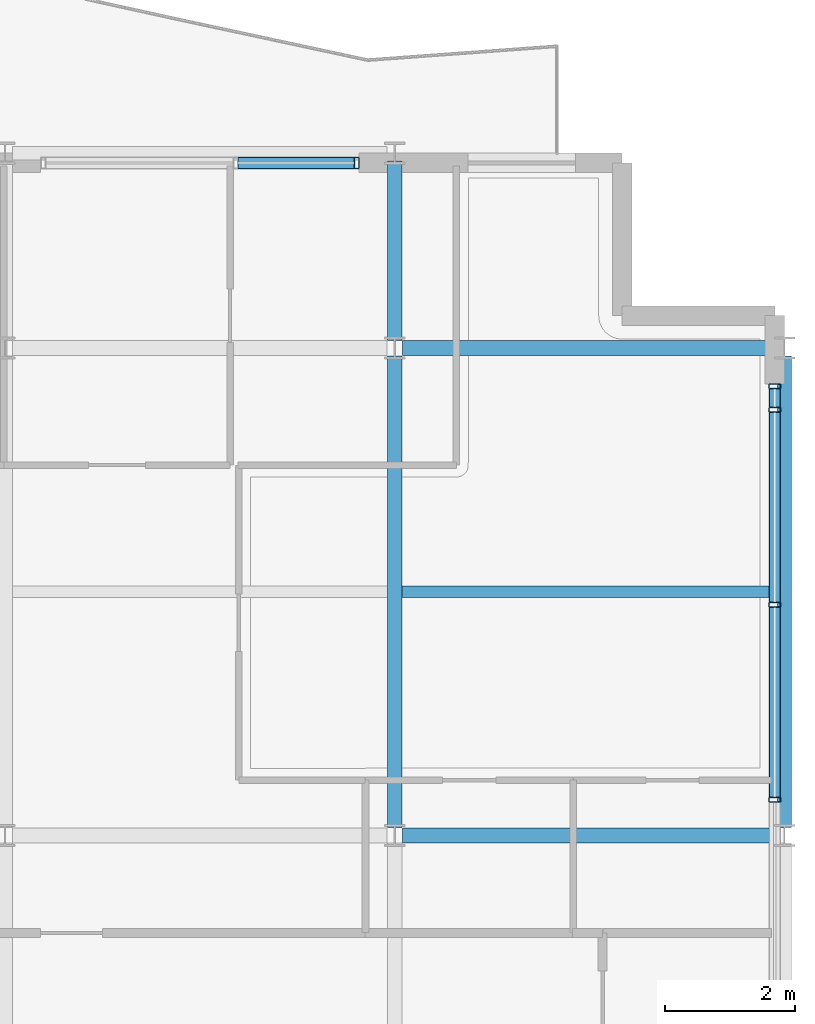
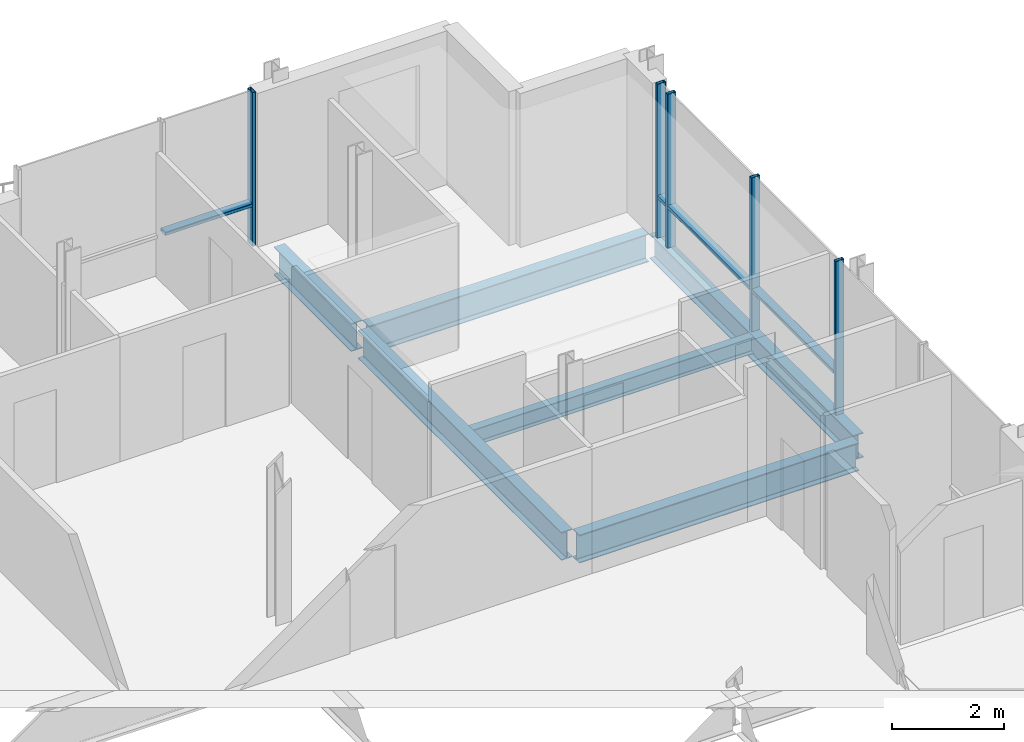
# One storey, part 9 of 18: 9 members, 6 beams, 2 elements without a shape of their own.
"""IFC4 building model written with IfcOpenShell, lengths in metres."""

from ifc_helpers import new_model, si_unit, direction, frame, origin, origin_2d, place, context, subcontext, project, spatial, hollow_rectangle, i_section, extrude, material, layer, layer_set, material_profile, profile_set, type_object, element, aggregate, save


model = new_model("IFC4")

# Units and contexts
model_context = context("Model", 3, precision=1e-05, world=origin(), true_north=direction((0.0, 1.0)))
body_context = subcontext(model_context, "Body", "Model", "MODEL_VIEW")
ifc_project = project(units=[si_unit("LENGTHUNIT", "METRE"), si_unit("AREAUNIT", "SQUARE_METRE"), si_unit("VOLUMEUNIT", "CUBIC_METRE"), si_unit("PLANEANGLEUNIT", "RADIAN"), si_unit("MASSUNIT", "GRAM", prefix="KILO")], contexts=[model_context])

# Site, building, storey
site_placement = place(None, origin())
site = spatial("IfcSite", under=ifc_project, at=site_placement, CompositionType="ELEMENT")
building_placement = place(site_placement, origin())
building = spatial("IfcBuilding", under=site, at=building_placement, Name="Brevholm Reach", CompositionType="ELEMENT")
storey_placement = place(building_placement, frame((0.0, 0.0, 240.050048828125)))
storey = spatial("IfcBuildingStorey", under=building, at=storey_placement, Name="L73", CompositionType="ELEMENT", Elevation=240.050048828125)

# Beams
ifc_material_1 = material(Name="Structural Steel S355J2", Category="steel")
ifc_material_profile_1 = material_profile(ifc_material_1, i_section(OverallWidth=0.17138671875, OverallDepth=0.35498046875, WebThickness=0.00732421875, FlangeThickness=0.011474609375, FilletRadius=0.01025390625, at=origin_2d()), Name="UKB 356x171x51")
ifc_profile_set_1 = profile_set([ifc_material_profile_1], Name="Structural Steel S355J2")
beam_type_1 = type_object("IfcBeamType", Name="BM-B356", PredefinedType="BEAM", material=ifc_profile_set_1)
beam_1_placement = place(storey_placement, frame((54.114501953125, 19.75, -0.427490234375), z_axis=(1.0, 0.0, 0.0), x_axis=(0.0, 1.0, 0.0)))
element("IfcBeam", 1, at=beam_1_placement, inside=storey, type_object=beam_type_1, Name="L73 Composite Secondary Floor Beam", PredefinedType="BEAM", context=body_context, shape_type="SweptSolid", body=[
    extrude(i_section(OverallWidth=0.17138671875, OverallDepth=0.35498046875, WebThickness=0.00732421875, FlangeThickness=0.011474609375, FilletRadius=0.01025390625, at=origin_2d()), origin(), (0.0, 0.0, 1.0), 5.780029296875),
])
ifc_material_2 = material(Name="Structural Steel S355J2", Category="steel")
ifc_material_profile_2 = material_profile(ifc_material_2, i_section(OverallWidth=0.210693359375, OverallDepth=0.53955078125, WebThickness=0.01171875, FlangeThickness=0.018798828125, FilletRadius=0.0126953125, at=origin_2d()), Name="UKB 533x210x109")
ifc_profile_set_2 = profile_set([ifc_material_profile_2], Name="Structural Steel S355J2")
beam_type_2 = type_object("IfcBeamType", Name="BM-SP539", PredefinedType="SPANDREL", material=ifc_profile_set_2)
beam_2_placement = place(storey_placement, frame((60.0, 16.1201171875, -0.519775390625), z_axis=(0.0, 1.0, 0.0), x_axis=(-1.0, 0.0, 0.0)))
element("IfcBeam", 2, at=beam_2_placement, inside=storey, type_object=beam_type_2, Name="L73 SP-01B Framing Beam", PredefinedType="SPANDREL", context=body_context, shape_type="SweptSolid", body=[
    extrude(i_section(OverallWidth=0.210693359375, OverallDepth=0.53955078125, WebThickness=0.01171875, FlangeThickness=0.018798828125, FilletRadius=0.0126953125, at=origin_2d()), origin(), (0.0, 0.0, 1.0), 7.259765625),
])
ifc_material_3 = material(Name="Structural Steel S355J2", Category="steel")
ifc_material_profile_3 = material_profile(ifc_material_3, i_section(OverallWidth=0.22900390625, OverallDepth=0.6123046875, WebThickness=0.011962890625, FlangeThickness=0.01953125, FilletRadius=0.0126953125, at=origin_2d()), Name="UKB 610x229x125")
ifc_profile_set_3 = profile_set([ifc_material_profile_3], Name="Structural Steel S355J2")
beam_type_3 = type_object("IfcBeamType", Name="BM-SP610", PredefinedType="SPANDREL", material=ifc_profile_set_3)
for number, where, z_axis, x_axis, name in (
    (3, (54.1201171875, 16.0, -0.55615234375), (1.0, 0.0, 0.0), (0.0, 1.0, 0.0), "L73 SP-01 Framing Beam"),
    (4, (54.1201171875, 23.5, -0.55615234375), (1.0, 0.0, 0.0), (0.0, 1.0, 0.0), "L73 SP-01 Framing Beam"),
):
    element("IfcBeam", number, at=place(storey_placement, frame(where, z_axis=z_axis, x_axis=x_axis)), inside=storey, type_object=beam_type_3, Name=name, PredefinedType="SPANDREL", context=body_context, shape_type="SweptSolid", body=[
        extrude(i_section(OverallWidth=0.22900390625, OverallDepth=0.6123046875, WebThickness=0.011962890625, FlangeThickness=0.01953125, FilletRadius=0.0126953125, at=origin_2d()), origin(), (0.0, 0.0, 1.0), 5.759765625),
    ])
beam_3_placement = place(storey_placement, frame((54.0, 16.1201171875, -0.55615234375), z_axis=(0.0, 1.0, 0.0), x_axis=(-1.0, 0.0, 0.0)))
element("IfcBeam", 5, at=beam_3_placement, inside=storey, type_object=beam_type_3, Name="L73 SP-01 Framing Beam", PredefinedType="SPANDREL", context=body_context, shape_type="SweptSolid", body=[
    extrude(i_section(OverallWidth=0.22900390625, OverallDepth=0.6123046875, WebThickness=0.011962890625, FlangeThickness=0.01953125, FilletRadius=0.0126953125, at=origin_2d()), origin(), (0.0, 0.0, 1.0), 7.259765625),
])
beam_4_placement = place(storey_placement, frame((54.0, 23.6201171875, -0.55615234375), z_axis=(0.0, 1.0, 0.0), x_axis=(-1.0, 0.0, 0.0)))
element("IfcBeam", 6, at=beam_4_placement, inside=storey, type_object=beam_type_3, Name="L73 SP-01 Framing Beam", PredefinedType="SPANDREL", context=body_context, shape_type="SweptSolid", body=[
    extrude(i_section(OverallWidth=0.22900390625, OverallDepth=0.6123046875, WebThickness=0.011962890625, FlangeThickness=0.01953125, FilletRadius=0.0126953125, at=origin_2d()), origin(), (0.0, 0.0, 1.0), 2.759765625),
])

# Curtain wall, members
ifc_material_4 = material(Name="Dark Anodised Aluminium 6063-T6 and Solar-Control Glass", Category="aluminium")
ifc_layer = layer(ifc_material_4, 0.179931640625)
ifc_layer_set = layer_set([ifc_layer], Name="Dark Anodised Aluminium 6063-T6 and Solar-Control Glass")
curtain_wall_type = type_object("IfcCurtainWallType", Name="CW-05", PredefinedType="NOTDEFINED", material=ifc_layer_set)
curtain_wall_1_placement = place(storey_placement, origin())
curtain_wall_1 = element("IfcCurtainWall", 7, at=curtain_wall_1_placement, inside=storey, type_object=curtain_wall_type, Name="L73 Curtain Wall CW-05", PredefinedType="NOTDEFINED")
ifc_material_5 = material(Name="Dark Anodised Aluminium 6063-T6", Category="aluminium")
ifc_material_profile_4 = material_profile(ifc_material_5, hollow_rectangle(XDim=0.074951171875, YDim=0.179931640625, WallThickness=0.006103515625, InnerFilletRadius=0.006103515625, OuterFilletRadius=0.011962890625, at=origin_2d()), Name="RHS 180x75x6")
ifc_profile_set_4 = profile_set([ifc_material_profile_4], Name="Dark Anodised Aluminium 6063-T6")
member_type_1 = type_object("IfcMemberType", Name="CWM-180", PredefinedType="MULLION", material=ifc_profile_set_4)
member_1_placement = place(storey_placement, frame((59.85009765625, 16.550048828125, 0.0), z_axis=(0.0, 0.0, 1.0), x_axis=(0.0, 1.0, 0.0)))
member_1 = element("IfcMember", 8, at=member_1_placement, type_object=member_type_1, Name="CM-180 Mullion 3", PredefinedType="MULLION", context=body_context, shape_type="SweptSolid", body=[
    extrude(hollow_rectangle(XDim=0.074951171875, YDim=0.179931640625, WallThickness=0.006103515625, InnerFilletRadius=0.006103515625, OuterFilletRadius=0.011962890625, at=origin_2d()), origin(), (0.0, 0.0, 1.0), 3.349853515625),
])
member_2_placement = place(storey_placement, frame((59.85009765625, 19.550048828125, 0.0), z_axis=(0.0, 0.0, 1.0), x_axis=(0.0, 1.0, 0.0)))
member_2 = element("IfcMember", 9, at=member_2_placement, type_object=member_type_1, Name="CM-180 Mullion 4", PredefinedType="MULLION", context=body_context, shape_type="SweptSolid", body=[
    extrude(hollow_rectangle(XDim=0.074951171875, YDim=0.179931640625, WallThickness=0.006103515625, InnerFilletRadius=0.006103515625, OuterFilletRadius=0.011962890625, at=origin_2d()), origin(), (0.0, 0.0, 1.0), 3.349853515625),
])
member_3_placement = place(storey_placement, frame((59.85009765625, 22.550048828125, 0.0), z_axis=(0.0, 0.0, 1.0), x_axis=(0.0, 1.0, 0.0)))
member_3 = element("IfcMember", 10, at=member_3_placement, type_object=member_type_1, Name="CM-180 Mullion 5", PredefinedType="MULLION", context=body_context, shape_type="SweptSolid", body=[
    extrude(hollow_rectangle(XDim=0.074951171875, YDim=0.179931640625, WallThickness=0.006103515625, InnerFilletRadius=0.006103515625, OuterFilletRadius=0.011962890625, at=origin_2d()), origin(), (0.0, 0.0, 1.0), 3.349853515625),
])
member_4_placement = place(storey_placement, frame((59.85009765625, 22.91259765625, 0.0), z_axis=(0.0, 0.0, 1.0), x_axis=(0.0, 1.0, 0.0)))
member_4 = element("IfcMember", 11, at=member_4_placement, type_object=member_type_1, Name="CM-180 Mullion 6", PredefinedType="MULLION", context=body_context, shape_type="SweptSolid", body=[
    extrude(hollow_rectangle(XDim=0.074951171875, YDim=0.179931640625, WallThickness=0.006103515625, InnerFilletRadius=0.006103515625, OuterFilletRadius=0.011962890625, at=origin_2d()), origin(), (0.0, 0.0, 1.0), 3.349853515625),
])

# Curtain wall, member
curtain_wall_2_placement = place(storey_placement, origin())
curtain_wall_2 = element("IfcCurtainWall", 12, at=curtain_wall_2_placement, inside=storey, type_object=curtain_wall_type, Name="L73 Curtain Wall CW-05", PredefinedType="NOTDEFINED")
member_5_placement = place(storey_placement, frame((53.41259765625, 26.35009765625, 0.0), z_axis=(0.0, 0.0, 1.0), x_axis=(1.0, 0.0, 0.0)))
member_5 = element("IfcMember", 13, at=member_5_placement, type_object=member_type_1, Name="CM-180 Mullion 3", PredefinedType="MULLION", context=body_context, shape_type="SweptSolid", body=[
    extrude(hollow_rectangle(XDim=0.074951171875, YDim=0.179931640625, WallThickness=0.006103515625, InnerFilletRadius=0.006103515625, OuterFilletRadius=0.011962890625, at=origin_2d()), origin(), (0.0, 0.0, 1.0), 3.349853515625),
])

# Member
ifc_material_6 = material(Name="Dark Anodised Aluminium 6063-T6", Category="aluminium")
ifc_material_profile_5 = material_profile(ifc_material_6, hollow_rectangle(XDim=0.074951171875, YDim=0.179931640625, WallThickness=0.006103515625, InnerFilletRadius=0.006103515625, OuterFilletRadius=0.011962890625, at=origin_2d()), Name="RHS 180x75x6")
ifc_profile_set_5 = profile_set([ifc_material_profile_5], Name="Dark Anodised Aluminium 6063-T6")
member_type_2 = type_object("IfcMemberType", Name="CWT-180", PredefinedType="NOTDEFINED", material=ifc_profile_set_5)
member_6_placement = place(storey_placement, frame((59.85009765625, 16.58740234375, 0.89990234375), z_axis=(0.0, 1.0, 0.0), x_axis=(0.0, 0.0, 1.0)))
member_6 = element("IfcMember", 14, at=member_6_placement, type_object=member_type_2, Name="CT-180 Transom 3.1", ObjectType="TRANSOM", PredefinedType="USERDEFINED", context=body_context, shape_type="SweptSolid", body=[
    extrude(hollow_rectangle(XDim=0.074951171875, YDim=0.179931640625, WallThickness=0.006103515625, InnerFilletRadius=0.006103515625, OuterFilletRadius=0.011962890625, at=origin_2d()), origin(), (0.0, 0.0, 1.0), 2.925048828125),
])

member_7_placement = place(storey_placement, frame((59.85009765625, 19.58740234375, 0.89990234375), z_axis=(0.0, 1.0, 0.0), x_axis=(0.0, 0.0, 1.0)))
member_7 = element("IfcMember", 15, at=member_7_placement, type_object=member_type_2, Name="CT-180 Transom 4.1", ObjectType="TRANSOM", PredefinedType="USERDEFINED", context=body_context, shape_type="SweptSolid", body=[
    extrude(hollow_rectangle(XDim=0.074951171875, YDim=0.179931640625, WallThickness=0.006103515625, InnerFilletRadius=0.006103515625, OuterFilletRadius=0.011962890625, at=origin_2d()), origin(), (0.0, 0.0, 1.0), 2.925048828125),
])

member_8_placement = place(storey_placement, frame((59.85009765625, 22.58740234375, 0.89990234375), z_axis=(0.0, 1.0, 0.0), x_axis=(0.0, 0.0, 1.0)))
member_8 = element("IfcMember", 16, at=member_8_placement, type_object=member_type_2, Name="CT-180 Transom 5.1", ObjectType="TRANSOM", PredefinedType="USERDEFINED", context=body_context, shape_type="SweptSolid", body=[
    extrude(hollow_rectangle(XDim=0.074951171875, YDim=0.179931640625, WallThickness=0.006103515625, InnerFilletRadius=0.006103515625, OuterFilletRadius=0.011962890625, at=origin_2d()), origin(), (0.0, 0.0, 1.0), 0.28759765625),
])

aggregate(curtain_wall_1, [member_1, member_2, member_3, member_4, member_6, member_7, member_8])

member_9_placement = place(storey_placement, frame((51.58740234375, 26.35009765625, 0.89990234375), z_axis=(1.0, 0.0, 0.0), x_axis=(0.0, 0.0, 1.0)))
member_9 = element("IfcMember", 17, at=member_9_placement, type_object=member_type_2, Name="CT-180 Transom 2.1", ObjectType="TRANSOM", PredefinedType="USERDEFINED", context=body_context, shape_type="SweptSolid", body=[
    extrude(hollow_rectangle(XDim=0.074951171875, YDim=0.179931640625, WallThickness=0.006103515625, InnerFilletRadius=0.006103515625, OuterFilletRadius=0.011962890625, at=origin_2d()), origin(), (0.0, 0.0, 1.0), 1.78759765625),
])

aggregate(curtain_wall_2, [member_5, member_9])

save(model, "model.ifc")
